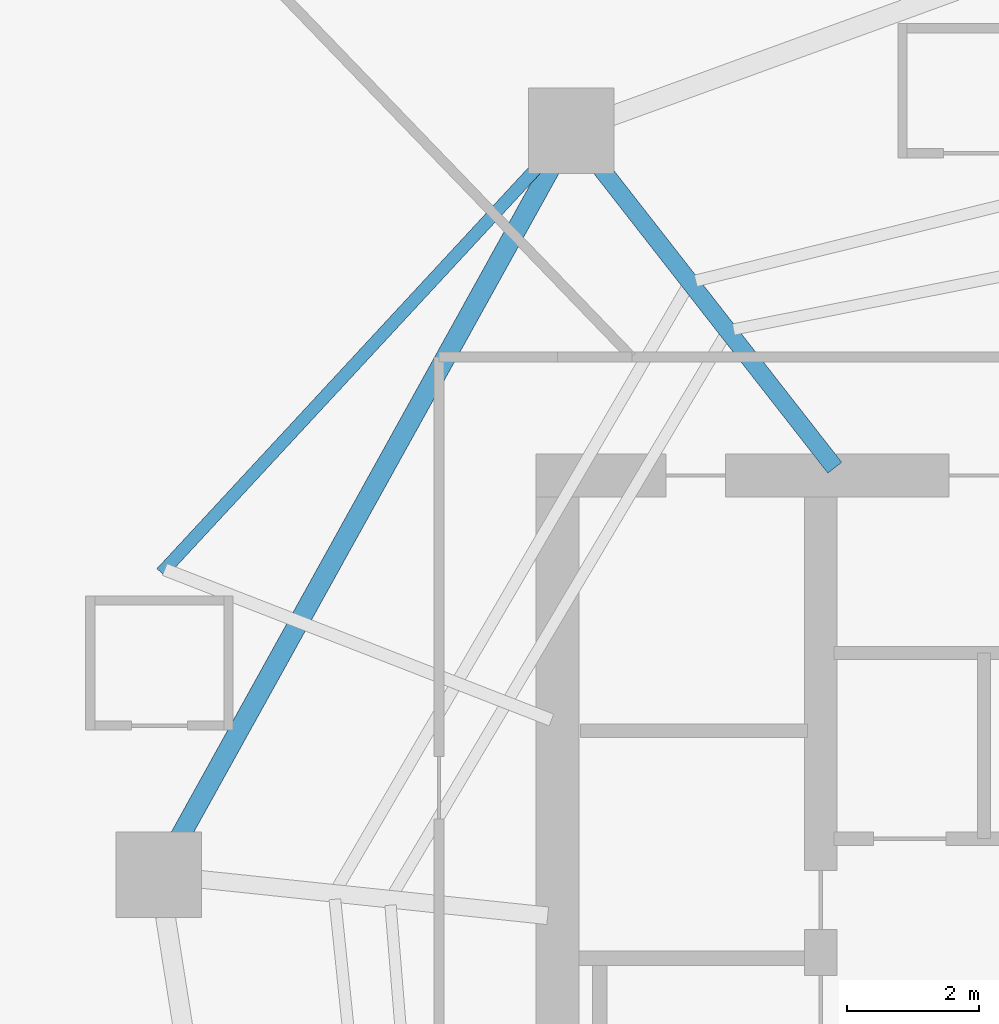
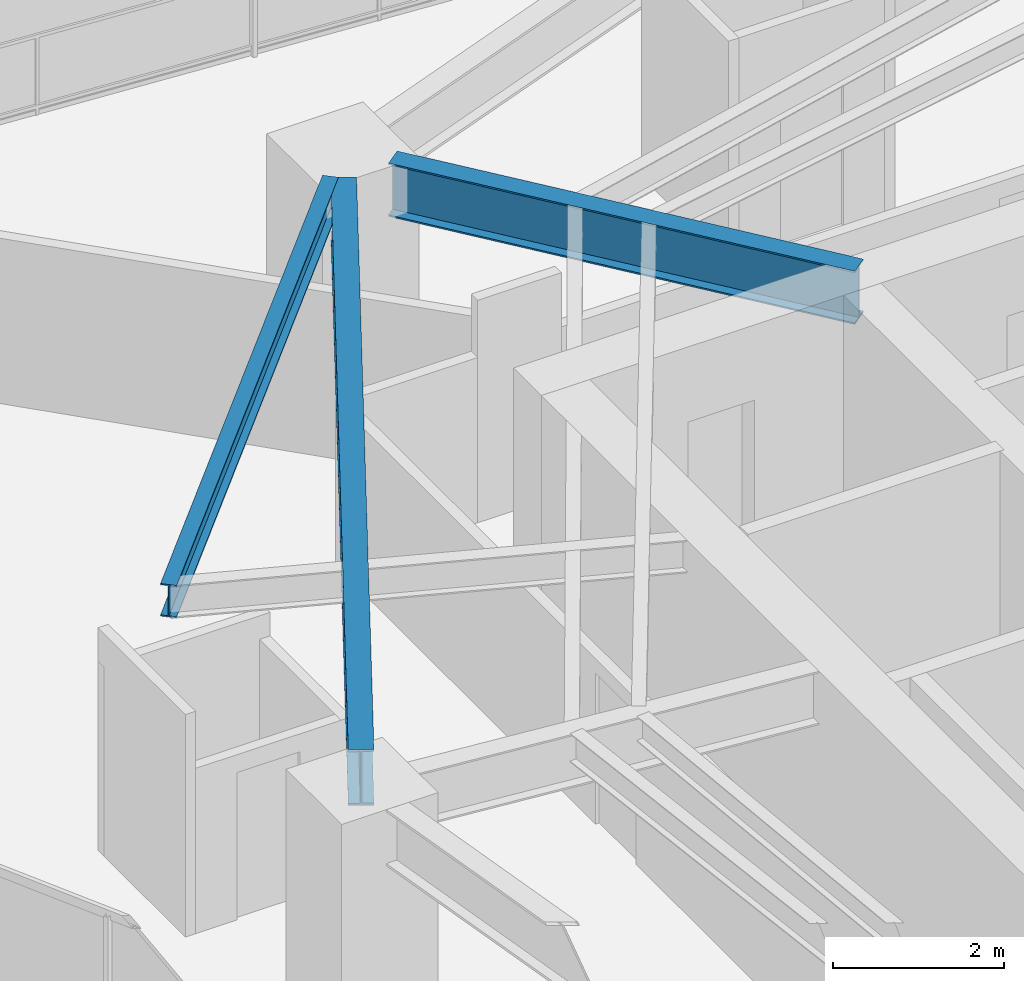
# One storey, part 17 of 30: 3 beams.
"""IFC4 building model written with IfcOpenShell, lengths in metres."""

from ifc_helpers import new_model, si_unit, direction, frame, origin, origin_2d, place, context, subcontext, project, spatial, i_section, extrude, material, material_profile, profile_set, type_object, element, save


model = new_model("IFC4")

# Units and contexts
model_context = context("Model", 3, precision=1e-05, world=origin(), true_north=direction((0.0, 1.0)))
body_context = subcontext(model_context, "Body", "Model", "MODEL_VIEW")
ifc_project = project(units=[si_unit("LENGTHUNIT", "METRE"), si_unit("AREAUNIT", "SQUARE_METRE"), si_unit("VOLUMEUNIT", "CUBIC_METRE"), si_unit("PLANEANGLEUNIT", "RADIAN"), si_unit("MASSUNIT", "GRAM", prefix="KILO")], contexts=[model_context])

# Site, building, storey
site_placement = place(None, origin())
site = spatial("IfcSite", under=ifc_project, at=site_placement, CompositionType="ELEMENT")
building_placement = place(site_placement, origin())
building = spatial("IfcBuilding", under=site, at=building_placement, Name="Qarnah Convention Tower", CompositionType="ELEMENT")
storey_placement = place(building_placement, frame((0.0, 0.0, 51.14990234375)))
storey = spatial("IfcBuildingStorey", under=building, at=storey_placement, Name="L12", CompositionType="ELEMENT", Elevation=51.14990234375)

# Beams
ifc_material = material(Name="Structural steel S355JR", Category="steel")
ifc_material_profile_1 = material_profile(ifc_material, i_section(OverallWidth=0.19189453125, OverallDepth=0.464111328125, WebThickness=0.010986328125, FlangeThickness=0.01806640625, at=origin_2d()), Name="W460X89")
ifc_profile_set_1 = profile_set([ifc_material_profile_1], Name="Structural steel S355JR")
beam_type_1 = type_object("IfcBeamType", Name="BM-CANT-W460A", PredefinedType="BEAM", material=ifc_profile_set_1)
beam_1_placement = place(storey_placement, frame((20.782958984375, 32.719970703125, 2.93798828125), z_axis=(0.679611332191, 0.733572380313, 0.0), x_axis=(-0.733572380313, 0.679611332191, 0.0)))
element("IfcBeam", 1, at=beam_1_placement, inside=storey, type_object=beam_type_1, Name="L12 spandrel BM-L12-CTIE-02", PredefinedType="SPANDREL", context=body_context, shape_type="SweptSolid", body=[
    extrude(i_section(OverallWidth=0.19189453125, OverallDepth=0.464111328125, WebThickness=0.010986328125, FlangeThickness=0.01806640625, at=origin_2d()), origin(), (0.0, 0.0, 1.0), 8.52392578125),
])
ifc_material_profile_2 = material_profile(ifc_material, i_section(OverallWidth=0.26806640625, OverallDepth=0.760009765625, WebThickness=0.014892578125, FlangeThickness=0.02197265625, at=origin_2d()), Name="W760X185")
ifc_profile_set_2 = profile_set([ifc_material_profile_2], Name="Structural steel S355JR")
beam_type_2 = type_object("IfcBeamType", Name="BM-RAD-W760", PredefinedType="BEAM", material=ifc_profile_set_2)
beam_2_placement = place(storey_placement, frame((31.013916015625, 34.318115234375, 2.7900390625), z_axis=(-0.61558272574, 0.78807227319, 0.0), x_axis=(-0.78807227319, -0.61558272574, 0.0)))
element("IfcBeam", 2, at=beam_2_placement, inside=storey, type_object=beam_type_2, Name="L12 beam BM-L12-RAD-04", PredefinedType="BEAM", context=body_context, shape_type="SweptSolid", body=[
    extrude(i_section(OverallWidth=0.26806640625, OverallDepth=0.760009765625, WebThickness=0.014892578125, FlangeThickness=0.02197265625, at=origin_2d()), origin(), (0.0, 0.0, 1.0), 5.87255859375),
])
ifc_material_profile_3 = material_profile(ifc_material, i_section(OverallWidth=0.300048828125, OverallDepth=0.800048828125, WebThickness=0.01806640625, FlangeThickness=0.032958984375, at=origin_2d()), Name="HEB800")
ifc_profile_set_3 = profile_set([ifc_material_profile_3], Name="Structural steel S355JR")
beam_type_3 = type_object("IfcBeamType", Name="BM-RING-HEB800", PredefinedType="BEAM", material=ifc_profile_set_3)
beam_3_placement = place(storey_placement, frame((26.700927734375, 38.882080078125, 2.77001953125), z_axis=(-0.484829813426, -0.874608513572, 0.0), x_axis=(0.874608513572, -0.484829813426, 0.0)))
element("IfcBeam", 3, at=beam_3_placement, inside=storey, type_object=beam_type_3, Name="L12 beam BM-L12-SPN-04", PredefinedType="BEAM", context=body_context, shape_type="SweptSolid", body=[
    extrude(i_section(OverallWidth=0.300048828125, OverallDepth=0.800048828125, WebThickness=0.01806640625, FlangeThickness=0.032958984375, at=origin_2d()), origin(), (0.0, 0.0, 1.0), 11.6533203125),
])

save(model, "model.ifc")
